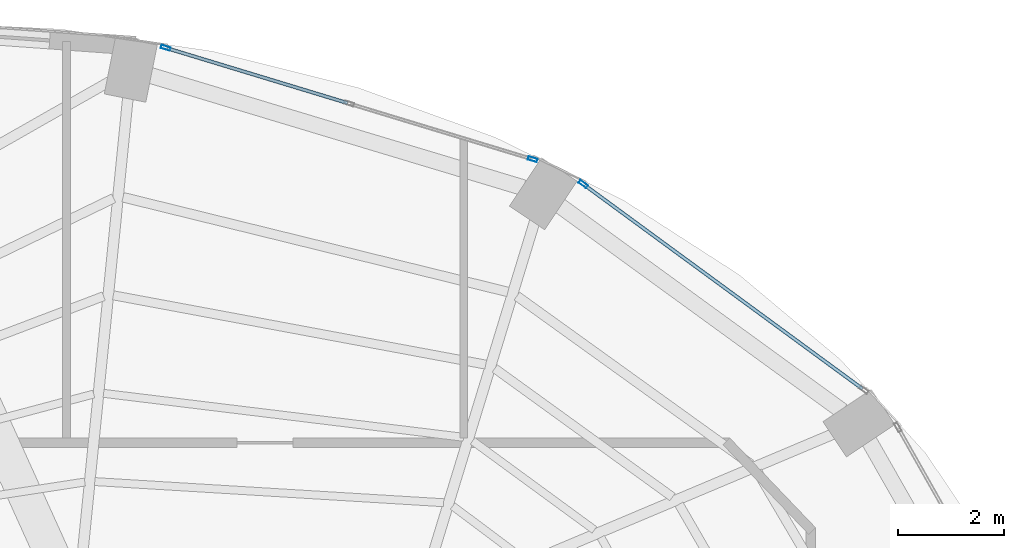
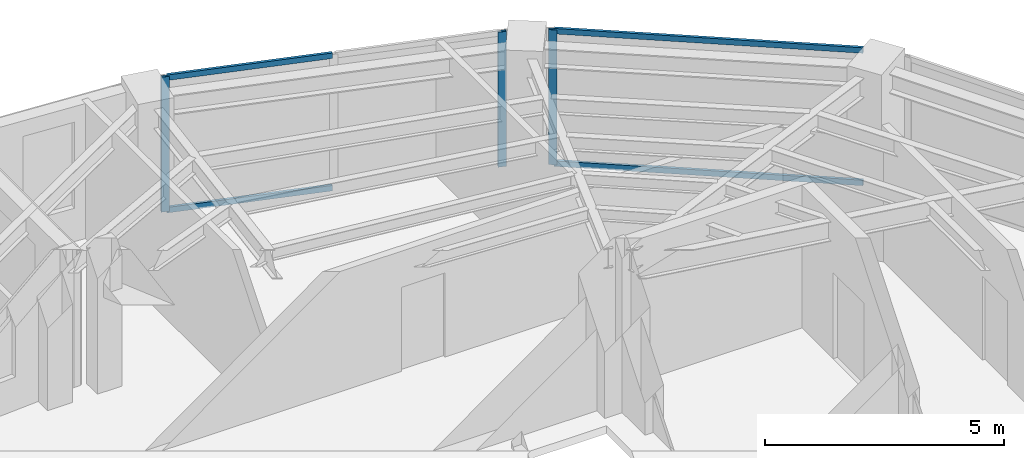
# One storey, part 17 of 22: 7 members, 2 elements without a shape of their own.
"""IFC4 building model written with IfcOpenShell, lengths in metres."""

from ifc_helpers import new_model, si_unit, direction, frame, origin, origin_2d, place, context, subcontext, project, spatial, hollow_rectangle, extrude, material, layer, layer_set, material_profile, profile_set, type_object, element, aggregate, save


model = new_model("IFC4")

# Units and contexts
model_context = context("Model", 3, precision=1e-05, world=origin(), true_north=direction((0.0, 1.0)))
body_context = subcontext(model_context, "Body", "Model", "MODEL_VIEW")
ifc_project = project(units=[si_unit("LENGTHUNIT", "METRE"), si_unit("AREAUNIT", "SQUARE_METRE"), si_unit("VOLUMEUNIT", "CUBIC_METRE"), si_unit("PLANEANGLEUNIT", "RADIAN"), si_unit("MASSUNIT", "GRAM", prefix="KILO")], contexts=[model_context])

# Site, building, storey
site_placement = place(None, origin())
site = spatial("IfcSite", under=ifc_project, at=site_placement, CompositionType="ELEMENT")
building_placement = place(site_placement, origin())
building = spatial("IfcBuilding", under=site, at=building_placement, Name="Lazwardi Medical Tower", CompositionType="ELEMENT")
storey_placement = place(building_placement, frame((0.0, 0.0, 238.60791015625)))
storey = spatial("IfcBuildingStorey", under=building, at=storey_placement, Name="L62", CompositionType="ELEMENT", Elevation=238.60791015625)

# Curtain wall, member
ifc_material_1 = material(Name="Anodised bronze aluminium and solar control glazing", Category="aluminium")
ifc_layer = layer(ifc_material_1, 0.18994140625)
ifc_layer_set = layer_set([ifc_layer], Name="Anodised bronze aluminium and solar control glazing")
curtain_wall_type = type_object("IfcCurtainWallType", Name="CW-SYS-04", PredefinedType="NOTDEFINED", material=ifc_layer_set)
curtain_wall_1_placement = place(storey_placement, origin())
curtain_wall_1 = element("IfcCurtainWall", 1, at=curtain_wall_1_placement, inside=storey, type_object=curtain_wall_type, Name="L62 Unitised bronze curtain wall CW-04", PredefinedType="NOTDEFINED")
ifc_material_2 = material(Name="Anodised bronze aluminium", Category="aluminium")
ifc_material_profile_1 = material_profile(ifc_material_2, hollow_rectangle(XDim=0.06494140625, YDim=0.179931640625, WallThickness=0.00390625, at=origin_2d()), Name="ALU-MULLION 180x65x4")
ifc_profile_set_1 = profile_set([ifc_material_profile_1], Name="Anodised bronze aluminium")
member_type_1 = type_object("IfcMemberType", Name="CW-MUL-03", PredefinedType="MULLION", material=ifc_profile_set_1)
member_1_placement = place(storey_placement, frame((48.75537109375, 43.634765625, 0.0), z_axis=(0.0, 0.0, 1.0), x_axis=(-0.591268230971, -0.806474971121, 0.0)))
member_1 = element("IfcMember", 2, at=member_1_placement, type_object=member_type_1, Name="CW-04 mullion 2", PredefinedType="MULLION", context=body_context, shape_type="SweptSolid", body=[
    extrude(hollow_rectangle(XDim=0.06494140625, YDim=0.179931640625, WallThickness=0.00390625, at=origin_2d()), origin(), (0.0, 0.0, 1.0), 3.447998046875),
])

# Curtain wall, members
curtain_wall_2_placement = place(storey_placement, origin())
curtain_wall_2 = element("IfcCurtainWall", 3, at=curtain_wall_2_placement, inside=storey, type_object=curtain_wall_type, Name="L62 Unitised bronze curtain wall CW-04", PredefinedType="NOTDEFINED")
member_2_placement = place(storey_placement, frame((47.7998046875, 44.103515625, 0.0), z_axis=(0.0, 0.0, 1.0), x_axis=(-0.290581889515, -0.956850126972, 0.0)))
member_2 = element("IfcMember", 4, at=member_2_placement, type_object=member_type_1, Name="CW-04 mullion 1", PredefinedType="MULLION", context=body_context, shape_type="SweptSolid", body=[
    extrude(hollow_rectangle(XDim=0.06494140625, YDim=0.179931640625, WallThickness=0.00390625, at=origin_2d()), origin(), (0.0, 0.0, 1.0), 3.447998046875),
])
member_3_placement = place(storey_placement, frame((40.873046875, 46.20703125, 0.0), z_axis=(0.0, 0.0, 1.0), x_axis=(-0.290581889515, -0.956850126972, 0.0)))
member_3 = element("IfcMember", 5, at=member_3_placement, type_object=member_type_1, Name="CW-04 mullion 3", PredefinedType="MULLION", context=body_context, shape_type="SweptSolid", body=[
    extrude(hollow_rectangle(XDim=0.06494140625, YDim=0.179931640625, WallThickness=0.00390625, at=origin_2d()), origin(), (0.0, 0.0, 1.0), 3.447998046875),
])

# Member
ifc_material_profile_2 = material_profile(ifc_material_2, hollow_rectangle(XDim=0.06494140625, YDim=0.139892578125, WallThickness=0.00341796875, at=origin_2d()), Name="ALU-TRANSOM 140x65x3.5")
ifc_profile_set_2 = profile_set([ifc_material_profile_2], Name="Anodised bronze aluminium")
member_type_2 = type_object("IfcMemberType", Name="CW-TRN-03", PredefinedType="USERDEFINED", material=ifc_profile_set_2)
member_4_placement = place(storey_placement, frame((54.02587890625, 39.770751953125, 0.032470703125), z_axis=(-0.806471831148, 0.591272513791, 0.0), x_axis=(-0.591272513791, -0.806471831148, 0.0)))
member_4 = element("IfcMember", 6, at=member_4_placement, type_object=member_type_2, Name="CW-04 transom 1.1", ObjectType="TRANSOM", PredefinedType="USERDEFINED", context=body_context, shape_type="SweptSolid", body=[
    extrude(hollow_rectangle(XDim=0.06494140625, YDim=0.139892578125, WallThickness=0.00341796875, at=origin_2d()), origin(), (0.0, 0.0, 1.0), 6.5029296875),
])

member_5_placement = place(storey_placement, frame((54.02587890625, 39.770751953125, 3.41552734375), z_axis=(-0.806471831148, 0.591272513791, 0.0), x_axis=(-0.591272513791, -0.806471831148, 0.0)))
member_5 = element("IfcMember", 7, at=member_5_placement, type_object=member_type_2, Name="CW-04 transom 1.2", ObjectType="TRANSOM", PredefinedType="USERDEFINED", context=body_context, shape_type="SweptSolid", body=[
    extrude(hollow_rectangle(XDim=0.06494140625, YDim=0.139892578125, WallThickness=0.00341796875, at=origin_2d()), origin(), (0.0, 0.0, 1.0), 6.5029296875),
])

aggregate(curtain_wall_1, [member_1, member_4, member_5])

member_6_placement = place(storey_placement, frame((44.305419921875, 45.164794921875, 0.032470703125), z_axis=(-0.956862505902, 0.290541124109, 0.0), x_axis=(-0.290541124109, -0.956862505902, 0.0)))
member_6 = element("IfcMember", 8, at=member_6_placement, type_object=member_type_2, Name="CW-04 transom 2.1", ObjectType="TRANSOM", PredefinedType="USERDEFINED", context=body_context, shape_type="SweptSolid", body=[
    extrude(hollow_rectangle(XDim=0.06494140625, YDim=0.139892578125, WallThickness=0.00341796875, at=origin_2d()), origin(), (0.0, 0.0, 1.0), 3.554443359375),
])

member_7_placement = place(storey_placement, frame((44.305419921875, 45.164794921875, 3.41552734375), z_axis=(-0.956862505902, 0.290541124109, 0.0), x_axis=(-0.290541124109, -0.956862505902, 0.0)))
member_7 = element("IfcMember", 9, at=member_7_placement, type_object=member_type_2, Name="CW-04 transom 2.2", ObjectType="TRANSOM", PredefinedType="USERDEFINED", context=body_context, shape_type="SweptSolid", body=[
    extrude(hollow_rectangle(XDim=0.06494140625, YDim=0.139892578125, WallThickness=0.00341796875, at=origin_2d()), origin(), (0.0, 0.0, 1.0), 3.554443359375),
])

aggregate(curtain_wall_2, [member_2, member_3, member_6, member_7])

save(model, "model.ifc")
